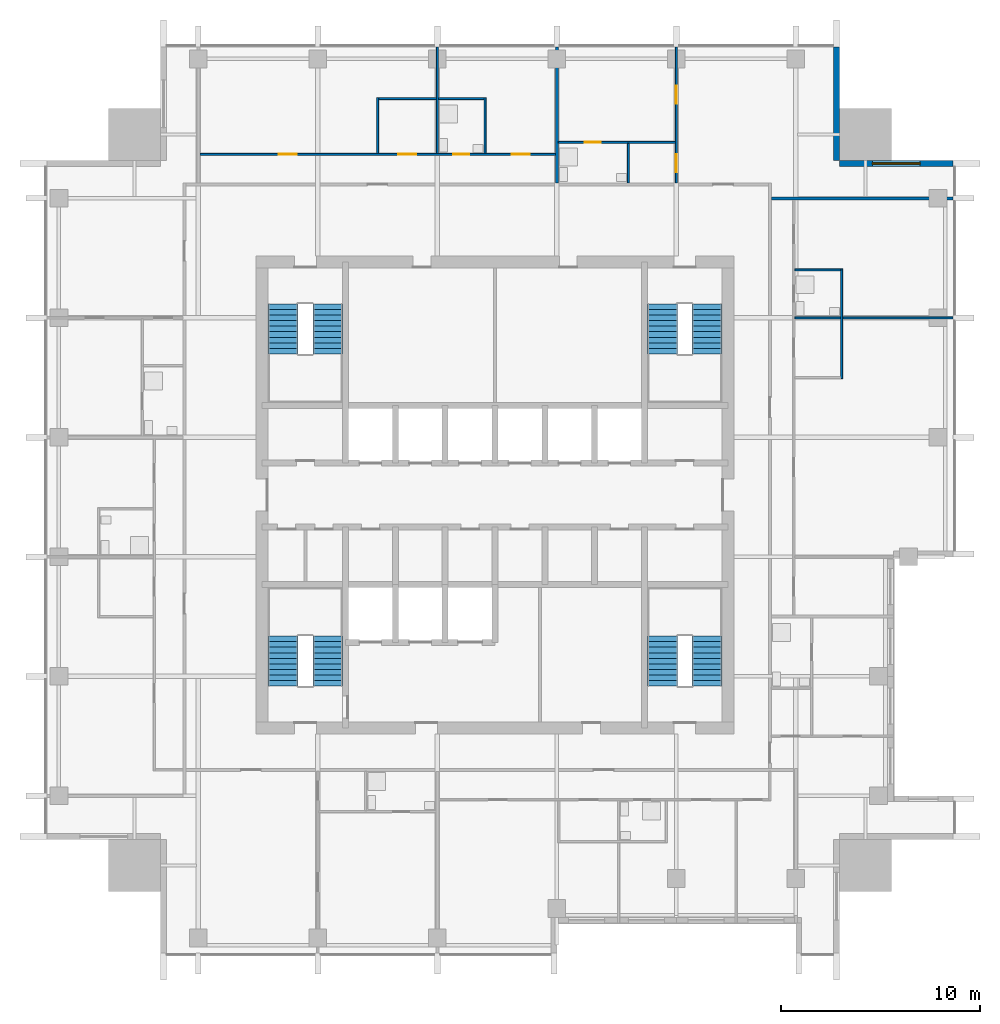
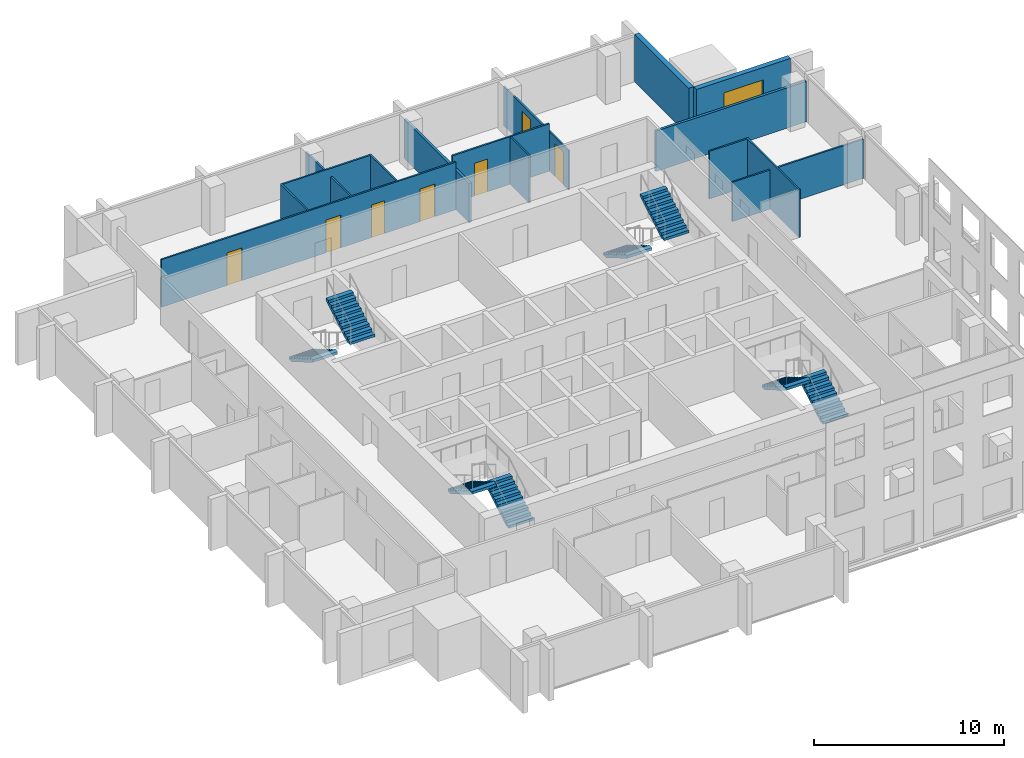
# One storey, part 7 of 10: 15 walls, 8 stair flights, 7 doors, 1 window, 8 openings, 4 elements without a shape of their own.
"""IFC4 building model written with IfcOpenShell, lengths in metres."""

from ifc_helpers import new_model, si_unit, direction, frame, frame_2d, origin, place, context, subcontext, project, spatial, polyline, rectangle, outline, extrude, material, layer, layer_set, type_object, element, fill, aggregate, save


model = new_model("IFC4")

# Units and contexts
model_context = context("Model", 3, precision=1e-05, world=origin(), true_north=direction((0.0, 1.0)))
body_context = subcontext(model_context, "Body", "Model", "MODEL_VIEW")
ifc_project = project(units=[si_unit("LENGTHUNIT", "METRE"), si_unit("AREAUNIT", "SQUARE_METRE"), si_unit("VOLUMEUNIT", "CUBIC_METRE"), si_unit("PLANEANGLEUNIT", "RADIAN"), si_unit("MASSUNIT", "GRAM", prefix="KILO")], contexts=[model_context])

# Site, building, storey
site_placement = place(None, origin())
site = spatial("IfcSite", under=ifc_project, at=site_placement, CompositionType="ELEMENT")
building_placement = place(site_placement, origin())
building = spatial("IfcBuilding", under=site, at=building_placement, Name="Amberfall Residences", CompositionType="ELEMENT")
storey_placement = place(building_placement, frame((0.0, 0.0, 206.800048828125)))
storey = spatial("IfcBuildingStorey", under=building, at=storey_placement, Name="L55", CompositionType="ELEMENT", Elevation=206.800048828125)

# Wall, opening, window
ifc_material_1 = material(Name="Pale stone cladding on insulated backing", Category="masonry")
ifc_layer_1 = layer(ifc_material_1, 0.300048828125)
ifc_layer_set_1 = layer_set([ifc_layer_1], Name="Bronze clad wall 300")
wall_type_1 = type_object("IfcWallType", Name="Bronze clad wall 300", PredefinedType="SOLIDWALL", material=ifc_layer_set_1)
wall_1_placement = place(storey_placement, frame((97.5, 62.14990234375, 0.0), z_axis=(0.0, 0.0, 1.0), x_axis=(-1.0, 0.0, 0.0)))
wall_1 = element("IfcWall", 1, at=wall_1_placement, inside=storey, type_object=wall_type_1, Name="External wall L55 NE", PredefinedType="SOLIDWALL", context=body_context, shape_type="SweptSolid", body=[
    extrude(rectangle(XDim=5.699951171875, YDim=0.300048828125, at=frame_2d((2.85009765625, 0.0))), origin(), (0.0, 0.0, 1.0), 3.050048828125),
])
opening_1_placement = place(wall_1_placement, frame((1.64990234375, 0.0, 0.14990234375)))
opening_1 = element("IfcOpeningElement", 2, at=opening_1_placement, cuts=wall_1, Name="Opening WN5", PredefinedType="OPENING", context=body_context, shape_type="SweptSolid", body=[
    extrude(rectangle(XDim=2.39990234375, YDim=2.10009765625, at=frame_2d((1.199951171875, 1.050048828125))), frame((0.0, 0.159912109375, 0.0), z_axis=(0.0, -1.0, 0.0), x_axis=(1.0, 0.0, 0.0)), (0.0, 0.0, 1.0), 0.320068359375),
])
ifc_material_2 = material(Name="Bronze aluminium framed glazing", Category="aluminium")
window_type = type_object("IfcWindowType", Name="Glazed opening 2400 x 2100 bronze", PartitioningType="DOUBLE_PANEL_VERTICAL", PredefinedType="WINDOW", material=ifc_material_2)
window_placement = place(opening_1_placement, origin())
window = element("IfcWindow", 3, at=window_placement, inside=storey, type_object=window_type, Name="Window L55 NE", OverallHeight=2.10009765625, OverallWidth=2.39990234375, PartitioningType="DOUBLE_PANEL_VERTICAL", PredefinedType="WINDOW", context=body_context, shape_type="SweptSolid", body=[
    extrude(rectangle(XDim=2.39990234375, YDim=2.10009765625, at=frame_2d((1.199951171875, 1.050048828125))), frame((0.0, 0.030029296875, 0.0), z_axis=(0.0, -1.0, 0.0), x_axis=(1.0, 0.0, 0.0)), (0.0, 0.0, 1.0), 0.06005859375),
])
fill(opening_1, window)

# Walls
wall_2_placement = place(storey_placement, frame((91.64990234375, 62.300048828125, 0.0), z_axis=(0.0, 0.0, 1.0), x_axis=(0.0, 1.0, 0.0)))
element("IfcWall", 4, at=wall_2_placement, inside=storey, type_object=wall_type_1, Name="External wall L55 NE", PredefinedType="SOLIDWALL", context=body_context, shape_type="SweptSolid", body=[
    extrude(rectangle(XDim=5.699951171875, YDim=0.300048828125, at=frame_2d((2.85009765625, 0.0))), origin(), (0.0, 0.0, 1.0), 3.050048828125),
])
ifc_material_3 = material(Name="Gypsum board on metal stud")
ifc_layer_2 = layer(ifc_material_3, 0.10009765625)
ifc_layer_set_2 = layer_set([ifc_layer_2], Name="Flat partition 100")
wall_type_2 = type_object("IfcWallType", Name="Flat partition 100", PredefinedType="PARTITIONING", material=ifc_layer_set_2)
wall_3_placement = place(storey_placement, frame((68.60009765625, 62.64990234375, 0.0), z_axis=(0.0, 0.0, 1.0), x_axis=(0.0, 1.0, 0.0)))
element("IfcWall", 5, at=wall_3_placement, inside=storey, type_object=wall_type_2, Name="Partition 006", PredefinedType="PARTITIONING", context=body_context, shape_type="SweptSolid", body=[
    extrude(rectangle(XDim=2.800048828125, YDim=0.10009765625, at=frame_2d((1.39990234375, 0.0))), origin(), (0.0, 0.0, 1.0), 3.050048828125),
])
wall_4_placement = place(storey_placement, frame((71.60009765625, 62.64990234375, 0.0), z_axis=(0.0, 0.0, 1.0), x_axis=(0.0, 1.0, 0.0)))
element("IfcWall", 6, at=wall_4_placement, inside=storey, type_object=wall_type_2, Name="Partition 007", PredefinedType="PARTITIONING", context=body_context, shape_type="SweptSolid", body=[
    extrude(rectangle(XDim=5.35009765625, YDim=0.10009765625, at=frame_2d((2.675048828125, 0.0))), origin(), (0.0, 0.0, 1.0), 2.515869140625),
])
wall_5_placement = place(storey_placement, frame((74.0, 62.64990234375, 0.0), z_axis=(0.0, 0.0, 1.0), x_axis=(0.0, 1.0, 0.0)))
element("IfcWall", 7, at=wall_5_placement, inside=storey, type_object=wall_type_2, Name="Partition 008", PredefinedType="PARTITIONING", context=body_context, shape_type="SweptSolid", body=[
    extrude(rectangle(XDim=2.800048828125, YDim=0.10009765625, at=frame_2d((1.39990234375, 0.0))), origin(), (0.0, 0.0, 1.0), 3.050048828125),
])
wall_6_placement = place(storey_placement, frame((81.199951171875, 61.175048828125, 0.0), z_axis=(0.0, 0.0, 1.0), x_axis=(0.0, 1.0, 0.0)))
element("IfcWall", 8, at=wall_6_placement, inside=storey, type_object=wall_type_2, Name="Partition 011", PredefinedType="PARTITIONING", context=body_context, shape_type="SweptSolid", body=[
    extrude(rectangle(XDim=1.974853515625, YDim=0.10009765625, at=frame_2d((0.9873046875, 0.0))), origin(), (0.0, 0.0, 1.0), 3.050048828125),
])

# Wall, openings, doors
wall_7_placement = place(storey_placement, frame((83.60009765625, 61.175048828125, 0.0), z_axis=(0.0, 0.0, 1.0), x_axis=(0.0, 1.0, 0.0)))
wall_7 = element("IfcWall", 9, at=wall_7_placement, inside=storey, type_object=wall_type_2, Name="Partition 013", PredefinedType="PARTITIONING", context=body_context, shape_type="SweptSolid", body=[
    extrude(rectangle(XDim=6.824951171875, YDim=0.10009765625, at=frame_2d((3.41259765625, 0.0))), origin(), (0.0, 0.0, 1.0), 2.515869140625),
])
opening_2_placement = place(wall_7_placement, frame((0.52490234375, 0.0, 0.0)))
opening_2 = element("IfcOpeningElement", 10, at=opening_2_placement, cuts=wall_7, Name="Opening D41", PredefinedType="OPENING", context=body_context, shape_type="SweptSolid", body=[
    extrude(rectangle(XDim=0.89990234375, YDim=2.10009765625, at=frame_2d((0.449951171875, 1.050048828125))), frame((0.0, 0.06005859375, 0.0), z_axis=(0.0, -1.0, 0.0), x_axis=(1.0, 0.0, 0.0)), (0.0, 0.0, 1.0), 0.1201171875),
])
opening_3_placement = place(wall_7_placement, frame((3.97509765625, 0.0, 0.0)))
opening_3 = element("IfcOpeningElement", 11, at=opening_3_placement, cuts=wall_7, Name="Opening D41", PredefinedType="OPENING", context=body_context, shape_type="SweptSolid", body=[
    extrude(rectangle(XDim=0.89990234375, YDim=2.10009765625, at=frame_2d((0.449951171875, 1.050048828125))), frame((0.0, 0.06005859375, 0.0), z_axis=(0.0, -1.0, 0.0), x_axis=(1.0, 0.0, 0.0)), (0.0, 0.0, 1.0), 0.1201171875),
])
ifc_material_4 = material(Name="Timber", Category="wood")
door_type_1 = type_object("IfcDoorType", Name="Internal door 900 x 2100", OperationType="SINGLE_SWING_LEFT", PredefinedType="DOOR", material=ifc_material_4)
door_1_placement = place(opening_2_placement, origin())
door_1 = element("IfcDoor", 12, at=door_1_placement, inside=storey, type_object=door_type_1, Name="Door 5506 kitchen", OperationType="SINGLE_SWING_LEFT", OverallHeight=2.10009765625, OverallWidth=0.89990234375, PredefinedType="DOOR", context=body_context, shape_type="SweptSolid", body=[
    extrude(rectangle(XDim=0.89990234375, YDim=2.10009765625, at=frame_2d((0.449951171875, 1.050048828125))), frame((0.0, 0.02490234375, 0.0), z_axis=(0.0, -1.0, 0.0), x_axis=(1.0, 0.0, 0.0)), (0.0, 0.0, 1.0), 0.050048828125),
])
fill(opening_2, door_1)
door_2_placement = place(opening_3_placement, origin())
door_2 = element("IfcDoor", 13, at=door_2_placement, inside=storey, type_object=door_type_1, Name="Door 5506 bedroom1", OperationType="SINGLE_SWING_LEFT", OverallHeight=2.10009765625, OverallWidth=0.89990234375, PredefinedType="DOOR", context=body_context, shape_type="SweptSolid", body=[
    extrude(rectangle(XDim=0.89990234375, YDim=2.10009765625, at=frame_2d((0.449951171875, 1.050048828125))), frame((0.0, 0.02490234375, 0.0), z_axis=(0.0, -1.0, 0.0), x_axis=(1.0, 0.0, 0.0)), (0.0, 0.0, 1.0), 0.050048828125),
])
fill(opening_3, door_2)

# Walls
wall_8_placement = place(storey_placement, frame((91.89990234375, 51.35009765625, 0.0), z_axis=(0.0, 0.0, 1.0), x_axis=(0.0, 1.0, 0.0)))
element("IfcWall", 14, at=wall_8_placement, inside=storey, type_object=wall_type_2, Name="Partition 018", PredefinedType="PARTITIONING", context=body_context, shape_type="SweptSolid", body=[
    extrude(rectangle(XDim=5.5, YDim=0.10009765625, at=frame_2d((2.75, 0.0))), origin(), (0.0, 0.0, 1.0), 3.050048828125),
])
wall_9_placement = place(storey_placement, frame((68.64990234375, 65.39990234375, 0.0), z_axis=(0.0, 0.0, 1.0), x_axis=(1.0, 0.0, 0.0)))
element("IfcWall", 15, at=wall_9_placement, inside=storey, type_object=wall_type_2, Name="Partition 019", PredefinedType="PARTITIONING", context=body_context, shape_type="SweptSolid", body=[
    extrude(rectangle(XDim=5.300048828125, YDim=0.10009765625, at=frame_2d((2.64990234375, 0.0))), origin(), (0.0, 0.0, 1.0), 3.050048828125),
])

# Wall, opening, door
wall_10_placement = place(storey_placement, frame((83.550048828125, 63.199951171875, 0.0), z_axis=(0.0, 0.0, 1.0), x_axis=(-1.0, 0.0, 0.0)))
wall_10 = element("IfcWall", 16, at=wall_10_placement, inside=storey, type_object=wall_type_2, Name="Partition 020", PredefinedType="PARTITIONING", context=body_context, shape_type="SweptSolid", body=[
    extrude(rectangle(XDim=5.875, YDim=0.10009765625, at=frame_2d((2.9375, 0.0))), origin(), (0.0, 0.0, 1.0), 3.050048828125),
])
opening_4_placement = place(wall_10_placement, frame((3.75, 0.0, 0.0)))
opening_4 = element("IfcOpeningElement", 17, at=opening_4_placement, cuts=wall_10, Name="Opening D42", PredefinedType="OPENING", context=body_context, shape_type="SweptSolid", body=[
    extrude(rectangle(XDim=0.800048828125, YDim=2.10009765625, at=frame_2d((0.39990234375, 1.050048828125))), frame((0.0, 0.06005859375, 0.0), z_axis=(0.0, -1.0, 0.0), x_axis=(1.0, 0.0, 0.0)), (0.0, 0.0, 1.0), 0.1201171875),
])
door_type_2 = type_object("IfcDoorType", Name="Bathroom door 800 x 2100", OperationType="SINGLE_SWING_LEFT", PredefinedType="DOOR", material=ifc_material_4)
door_3_placement = place(opening_4_placement, origin())
door_3 = element("IfcDoor", 18, at=door_3_placement, inside=storey, type_object=door_type_2, Name="Door 5506 bath1", OperationType="SINGLE_SWING_LEFT", OverallHeight=2.10009765625, OverallWidth=0.800048828125, PredefinedType="DOOR", context=body_context, shape_type="SweptSolid", body=[
    extrude(rectangle(XDim=0.800048828125, YDim=2.10009765625, at=frame_2d((0.39990234375, 1.050048828125))), frame((0.0, 0.02490234375, 0.0), z_axis=(0.0, -1.0, 0.0), x_axis=(1.0, 0.0, 0.0)), (0.0, 0.0, 1.0), 0.050048828125),
])
fill(opening_4, door_3)

# Wall, openings, doors
wall_11_placement = place(storey_placement, frame((59.675048828125, 62.60009765625, 0.0), z_axis=(0.0, 0.0, 1.0), x_axis=(1.0, 0.0, 0.0)))
wall_11 = element("IfcWall", 19, at=wall_11_placement, inside=storey, type_object=wall_type_2, Name="Partition 021", PredefinedType="PARTITIONING", context=body_context, shape_type="SweptSolid", body=[
    extrude(rectangle(XDim=17.849853515625, YDim=0.10009765625, at=frame_2d((8.9248046875, 0.0))), origin(), (0.0, 0.0, 1.0), 3.050048828125),
])
opening_5_placement = place(wall_11_placement, frame((3.97509765625, 0.0, 0.0)))
opening_5 = element("IfcOpeningElement", 20, at=opening_5_placement, cuts=wall_11, Name="Opening D41", PredefinedType="OPENING", context=body_context, shape_type="SweptSolid", body=[
    extrude(rectangle(XDim=0.89990234375, YDim=2.10009765625, at=frame_2d((0.449951171875, 1.050048828125))), frame((0.0, 0.06005859375, 0.0), z_axis=(0.0, -1.0, 0.0), x_axis=(1.0, 0.0, 0.0)), (0.0, 0.0, 1.0), 0.1201171875),
])
opening_6_placement = place(wall_11_placement, frame((9.97509765625, 0.0, 0.0)))
opening_6 = element("IfcOpeningElement", 21, at=opening_6_placement, cuts=wall_11, Name="Opening D41", PredefinedType="OPENING", context=body_context, shape_type="SweptSolid", body=[
    extrude(rectangle(XDim=0.89990234375, YDim=2.10009765625, at=frame_2d((0.449951171875, 1.050048828125))), frame((0.0, 0.06005859375, 0.0), z_axis=(0.0, -1.0, 0.0), x_axis=(1.0, 0.0, 0.0)), (0.0, 0.0, 1.0), 0.1201171875),
])
opening_7_placement = place(wall_11_placement, frame((15.675048828125, 0.0, 0.0)))
opening_7 = element("IfcOpeningElement", 22, at=opening_7_placement, cuts=wall_11, Name="Opening D41", PredefinedType="OPENING", context=body_context, shape_type="SweptSolid", body=[
    extrude(rectangle(XDim=0.89990234375, YDim=2.10009765625, at=frame_2d((0.449951171875, 1.050048828125))), frame((0.0, 0.06005859375, 0.0), z_axis=(0.0, -1.0, 0.0), x_axis=(1.0, 0.0, 0.0)), (0.0, 0.0, 1.0), 0.1201171875),
])
opening_8_placement = place(wall_11_placement, frame((12.72509765625, 0.0, 0.0)))
opening_8 = element("IfcOpeningElement", 23, at=opening_8_placement, cuts=wall_11, Name="Opening D42", PredefinedType="OPENING", context=body_context, shape_type="SweptSolid", body=[
    extrude(rectangle(XDim=0.800048828125, YDim=2.10009765625, at=frame_2d((0.39990234375, 1.050048828125))), frame((0.0, 0.06005859375, 0.0), z_axis=(0.0, -1.0, 0.0), x_axis=(1.0, 0.0, 0.0)), (0.0, 0.0, 1.0), 0.1201171875),
])
door_4_placement = place(opening_8_placement, origin())
door_4 = element("IfcDoor", 24, at=door_4_placement, inside=storey, type_object=door_type_2, Name="Door 5505 bath1", OperationType="SINGLE_SWING_LEFT", OverallHeight=2.10009765625, OverallWidth=0.800048828125, PredefinedType="DOOR", context=body_context, shape_type="SweptSolid", body=[
    extrude(rectangle(XDim=0.800048828125, YDim=2.10009765625, at=frame_2d((0.39990234375, 1.050048828125))), frame((0.0, 0.02490234375, 0.0), z_axis=(0.0, -1.0, 0.0), x_axis=(1.0, 0.0, 0.0)), (0.0, 0.0, 1.0), 0.050048828125),
])
fill(opening_8, door_4)
door_5_placement = place(opening_5_placement, origin())
door_5 = element("IfcDoor", 25, at=door_5_placement, inside=storey, type_object=door_type_1, Name="Door 5505 living", OperationType="SINGLE_SWING_LEFT", OverallHeight=2.10009765625, OverallWidth=0.89990234375, PredefinedType="DOOR", context=body_context, shape_type="SweptSolid", body=[
    extrude(rectangle(XDim=0.89990234375, YDim=2.10009765625, at=frame_2d((0.449951171875, 1.050048828125))), frame((0.0, 0.02490234375, 0.0), z_axis=(0.0, -1.0, 0.0), x_axis=(1.0, 0.0, 0.0)), (0.0, 0.0, 1.0), 0.050048828125),
])
fill(opening_5, door_5)
door_6_placement = place(opening_6_placement, origin())
door_6 = element("IfcDoor", 26, at=door_6_placement, inside=storey, type_object=door_type_1, Name="Door 5505 kitchen", OperationType="SINGLE_SWING_LEFT", OverallHeight=2.10009765625, OverallWidth=0.89990234375, PredefinedType="DOOR", context=body_context, shape_type="SweptSolid", body=[
    extrude(rectangle(XDim=0.89990234375, YDim=2.10009765625, at=frame_2d((0.449951171875, 1.050048828125))), frame((0.0, 0.02490234375, 0.0), z_axis=(0.0, -1.0, 0.0), x_axis=(1.0, 0.0, 0.0)), (0.0, 0.0, 1.0), 0.050048828125),
])
fill(opening_6, door_6)
door_7_placement = place(opening_7_placement, origin())
door_7 = element("IfcDoor", 27, at=door_7_placement, inside=storey, type_object=door_type_1, Name="Door 5505 bedroom1", OperationType="SINGLE_SWING_LEFT", OverallHeight=2.10009765625, OverallWidth=0.89990234375, PredefinedType="DOOR", context=body_context, shape_type="SweptSolid", body=[
    extrude(rectangle(XDim=0.89990234375, YDim=2.10009765625, at=frame_2d((0.449951171875, 1.050048828125))), frame((0.0, 0.02490234375, 0.0), z_axis=(0.0, -1.0, 0.0), x_axis=(1.0, 0.0, 0.0)), (0.0, 0.0, 1.0), 0.050048828125),
])
fill(opening_7, door_7)

# Walls
wall_12_placement = place(storey_placement, frame((89.550048828125, 56.800048828125, 0.0), z_axis=(0.0, 0.0, 1.0), x_axis=(1.0, 0.0, 0.0)))
element("IfcWall", 28, at=wall_12_placement, inside=storey, type_object=wall_type_2, Name="Partition 022", PredefinedType="PARTITIONING", context=body_context, shape_type="SweptSolid", body=[
    extrude(rectangle(XDim=2.300048828125, YDim=0.10009765625, at=frame_2d((1.14990234375, 0.0))), origin(), (0.0, 0.0, 1.0), 3.050048828125),
])
wall_13_placement = place(storey_placement, frame((89.550048828125, 54.39990234375, 0.0), z_axis=(0.0, 0.0, 1.0), x_axis=(1.0, 0.0, 0.0)))
element("IfcWall", 29, at=wall_13_placement, inside=storey, type_object=wall_type_2, Name="Partition 024", PredefinedType="PARTITIONING", context=body_context, shape_type="SweptSolid", body=[
    extrude(rectangle(XDim=7.949951171875, YDim=0.10009765625, at=frame_2d((3.97509765625, 0.0))), origin(), (0.0, 0.0, 1.0), 2.515869140625),
])
ifc_material_5 = material(Name="Blockwork, plastered", Category="masonry")
ifc_layer_3 = layer(ifc_material_5, 0.14990234375)
ifc_layer_set_3 = layer_set([ifc_layer_3], Name="Flat separating wall 150")
wall_type_3 = type_object("IfcWallType", Name="Flat separating wall 150", PredefinedType="PARTITIONING", material=ifc_layer_set_3)
wall_14_placement = place(storey_placement, frame((77.60009765625, 61.175048828125, 0.0), z_axis=(0.0, 0.0, 1.0), x_axis=(0.0, 1.0, 0.0)))
element("IfcWall", 30, at=wall_14_placement, inside=storey, type_object=wall_type_3, Name="Separating wall 040", PredefinedType="PARTITIONING", context=body_context, shape_type="SweptSolid", body=[
    extrude(rectangle(XDim=6.824951171875, YDim=0.14990234375, at=frame_2d((3.41259765625, 0.0))), origin(), (0.0, 0.0, 1.0), 2.515869140625),
])
wall_15_placement = place(storey_placement, frame((88.375, 60.39990234375, 0.0), z_axis=(0.0, 0.0, 1.0), x_axis=(1.0, 0.0, 0.0)))
element("IfcWall", 31, at=wall_15_placement, inside=storey, type_object=wall_type_3, Name="Separating wall 044", PredefinedType="PARTITIONING", context=body_context, shape_type="SweptSolid", body=[
    extrude(rectangle(XDim=9.125, YDim=0.14990234375, at=frame_2d((4.5625, 0.0))), origin(), (0.0, 0.0, 1.0), 2.58984375),
])

# Stair, stair flights
ifc_material_6 = material(Name="Concrete C40", Category="concrete")
stair_type = type_object("IfcStairType", Name="Exit stair 20 risers 165.0 mm", PredefinedType="HALF_TURN_STAIR", material=ifc_material_6)
stair_1_placement = place(storey_placement, origin())
stair_1 = element("IfcStair", 32, at=stair_1_placement, inside=storey, type_object=stair_type, Name="L55 Exit stair 1", PredefinedType="HALF_TURN_STAIR")
stair_flight_type = type_object("IfcStairFlightType", Name="Stair flight 10 risers 165.0 mm", PredefinedType="STRAIGHT", material=ifc_material_6)
stair_flight_1_placement = place(storey_placement, frame((66.10009765625, 35.89990234375, 0.0), z_axis=(0.0, 0.0, 1.0), x_axis=(0.0, 1.0, 0.0)))
stair_flight_1 = element("IfcStairFlight", 33, at=stair_flight_1_placement, type_object=stair_flight_type, Name="ST3 flight 1", NumberOfRisers=10, NumberOfTreads=9, PredefinedType="STRAIGHT", RiserHeight=0.165, TreadLength=0.28, context=body_context, shape_type="SweptSolid", body=[
    extrude(outline(polyline([(0.0, 0.0), (0.0, 0.1650390625), (0.280029296875, 0.1650390625), (0.280029296875, 0.330078125), (0.56005859375, 0.330078125), (0.56005859375, 0.4951171875), (0.840087890625, 0.4951171875), (0.840087890625, 0.659912109375), (1.1201171875, 0.659912109375), (1.1201171875, 0.824951171875), (1.39990234375, 0.824951171875), (1.39990234375, 0.989990234375), (1.679931640625, 0.989990234375), (1.679931640625, 1.155029296875), (1.9599609375, 1.155029296875), (1.9599609375, 1.320068359375), (2.239990234375, 1.320068359375), (2.239990234375, 1.485107421875), (2.52001953125, 1.485107421875), (2.52001953125, 1.64990234375), (2.52001953125, 1.31103515625), (0.295166015625, 0.0), (0.0, 0.0)])), frame((0.0, 0.75, 0.0), z_axis=(0.0, -1.0, 0.0), x_axis=(1.0, 0.0, 0.0)), (0.0, 0.0, 1.0), 1.5),
])
stair_flight_2_placement = place(storey_placement, frame((63.85009765625, 38.419921875, 1.64990234375), z_axis=(0.0, 0.0, 1.0), x_axis=(0.0, -1.0, 0.0)))
stair_flight_2 = element("IfcStairFlight", 34, at=stair_flight_2_placement, type_object=stair_flight_type, Name="ST3 flight 2", NumberOfRisers=10, NumberOfTreads=9, PredefinedType="STRAIGHT", RiserHeight=0.165, TreadLength=0.28, context=body_context, shape_type="SweptSolid", body=[
    extrude(outline(polyline([(0.0, 0.0), (0.0, 0.1650390625), (0.280029296875, 0.1650390625), (0.280029296875, 0.330078125), (0.56005859375, 0.330078125), (0.56005859375, 0.4951171875), (0.840087890625, 0.4951171875), (0.840087890625, 0.659912109375), (1.1201171875, 0.659912109375), (1.1201171875, 0.824951171875), (1.39990234375, 0.824951171875), (1.39990234375, 0.989990234375), (1.679931640625, 0.989990234375), (1.679931640625, 1.155029296875), (1.9599609375, 1.155029296875), (1.9599609375, 1.320068359375), (2.239990234375, 1.320068359375), (2.239990234375, 1.485107421875), (2.52001953125, 1.485107421875), (2.52001953125, 1.64990234375), (2.52001953125, 1.31103515625), (0.295166015625, 0.0), (0.0, 0.0)])), frame((0.0, 0.75, 0.0), z_axis=(0.0, -1.0, 0.0), x_axis=(1.0, 0.0, 0.0)), (0.0, 0.0, 1.0), 1.5),
])
aggregate(stair_1, [stair_flight_1, stair_flight_2])

stair_2_placement = place(storey_placement, origin())
stair_2 = element("IfcStair", 35, at=stair_2_placement, inside=storey, type_object=stair_type, Name="L55 Exit stair 2", PredefinedType="HALF_TURN_STAIR")
stair_flight_3_placement = place(storey_placement, frame((85.14990234375, 35.89990234375, 0.0), z_axis=(0.0, 0.0, 1.0), x_axis=(0.0, 1.0, 0.0)))
stair_flight_3 = element("IfcStairFlight", 36, at=stair_flight_3_placement, type_object=stair_flight_type, Name="ST3 flight 1", NumberOfRisers=10, NumberOfTreads=9, PredefinedType="STRAIGHT", RiserHeight=0.165, TreadLength=0.28, context=body_context, shape_type="SweptSolid", body=[
    extrude(outline(polyline([(0.0, 0.0), (0.0, 0.1650390625), (0.280029296875, 0.1650390625), (0.280029296875, 0.330078125), (0.56005859375, 0.330078125), (0.56005859375, 0.4951171875), (0.840087890625, 0.4951171875), (0.840087890625, 0.659912109375), (1.1201171875, 0.659912109375), (1.1201171875, 0.824951171875), (1.39990234375, 0.824951171875), (1.39990234375, 0.989990234375), (1.679931640625, 0.989990234375), (1.679931640625, 1.155029296875), (1.9599609375, 1.155029296875), (1.9599609375, 1.320068359375), (2.239990234375, 1.320068359375), (2.239990234375, 1.485107421875), (2.52001953125, 1.485107421875), (2.52001953125, 1.64990234375), (2.52001953125, 1.31103515625), (0.295166015625, 0.0), (0.0, 0.0)])), frame((0.0, 0.75, 0.0), z_axis=(0.0, -1.0, 0.0), x_axis=(1.0, 0.0, 0.0)), (0.0, 0.0, 1.0), 1.5),
])
stair_flight_4_placement = place(storey_placement, frame((82.89990234375, 38.419921875, 1.64990234375), z_axis=(0.0, 0.0, 1.0), x_axis=(0.0, -1.0, 0.0)))
stair_flight_4 = element("IfcStairFlight", 37, at=stair_flight_4_placement, type_object=stair_flight_type, Name="ST3 flight 2", NumberOfRisers=10, NumberOfTreads=9, PredefinedType="STRAIGHT", RiserHeight=0.165, TreadLength=0.28, context=body_context, shape_type="SweptSolid", body=[
    extrude(outline(polyline([(0.0, 0.0), (0.0, 0.1650390625), (0.280029296875, 0.1650390625), (0.280029296875, 0.330078125), (0.56005859375, 0.330078125), (0.56005859375, 0.4951171875), (0.840087890625, 0.4951171875), (0.840087890625, 0.659912109375), (1.1201171875, 0.659912109375), (1.1201171875, 0.824951171875), (1.39990234375, 0.824951171875), (1.39990234375, 0.989990234375), (1.679931640625, 0.989990234375), (1.679931640625, 1.155029296875), (1.9599609375, 1.155029296875), (1.9599609375, 1.320068359375), (2.239990234375, 1.320068359375), (2.239990234375, 1.485107421875), (2.52001953125, 1.485107421875), (2.52001953125, 1.64990234375), (2.52001953125, 1.31103515625), (0.295166015625, 0.0), (0.0, 0.0)])), frame((0.0, 0.75, 0.0), z_axis=(0.0, -1.0, 0.0), x_axis=(1.0, 0.0, 0.0)), (0.0, 0.0, 1.0), 1.5),
])
aggregate(stair_2, [stair_flight_3, stair_flight_4])

stair_3_placement = place(storey_placement, origin())
stair_3 = element("IfcStair", 38, at=stair_3_placement, inside=storey, type_object=stair_type, Name="L55 Exit stair 3", PredefinedType="HALF_TURN_STAIR")
stair_flight_5_placement = place(storey_placement, frame((82.89990234375, 55.10009765625, 0.0), z_axis=(0.0, 0.0, 1.0), x_axis=(0.0, -1.0, 0.0)))
stair_flight_5 = element("IfcStairFlight", 39, at=stair_flight_5_placement, type_object=stair_flight_type, Name="ST3 flight 1", NumberOfRisers=10, NumberOfTreads=9, PredefinedType="STRAIGHT", RiserHeight=0.165, TreadLength=0.28, context=body_context, shape_type="SweptSolid", body=[
    extrude(outline(polyline([(0.0, 0.0), (0.0, 0.1650390625), (0.280029296875, 0.1650390625), (0.280029296875, 0.330078125), (0.56005859375, 0.330078125), (0.56005859375, 0.4951171875), (0.840087890625, 0.4951171875), (0.840087890625, 0.659912109375), (1.1201171875, 0.659912109375), (1.1201171875, 0.824951171875), (1.39990234375, 0.824951171875), (1.39990234375, 0.989990234375), (1.679931640625, 0.989990234375), (1.679931640625, 1.155029296875), (1.9599609375, 1.155029296875), (1.9599609375, 1.320068359375), (2.239990234375, 1.320068359375), (2.239990234375, 1.485107421875), (2.52001953125, 1.485107421875), (2.52001953125, 1.64990234375), (2.52001953125, 1.31103515625), (0.295166015625, 0.0), (0.0, 0.0)])), frame((0.0, 0.75, 0.0), z_axis=(0.0, -1.0, 0.0), x_axis=(1.0, 0.0, 0.0)), (0.0, 0.0, 1.0), 1.5),
])
stair_flight_6_placement = place(storey_placement, frame((85.14990234375, 52.580078125, 1.64990234375), z_axis=(0.0, 0.0, 1.0), x_axis=(0.0, 1.0, 0.0)))
stair_flight_6 = element("IfcStairFlight", 40, at=stair_flight_6_placement, type_object=stair_flight_type, Name="ST3 flight 2", NumberOfRisers=10, NumberOfTreads=9, PredefinedType="STRAIGHT", RiserHeight=0.165, TreadLength=0.28, context=body_context, shape_type="SweptSolid", body=[
    extrude(outline(polyline([(0.0, 0.0), (0.0, 0.1650390625), (0.280029296875, 0.1650390625), (0.280029296875, 0.330078125), (0.56005859375, 0.330078125), (0.56005859375, 0.4951171875), (0.840087890625, 0.4951171875), (0.840087890625, 0.659912109375), (1.1201171875, 0.659912109375), (1.1201171875, 0.824951171875), (1.39990234375, 0.824951171875), (1.39990234375, 0.989990234375), (1.679931640625, 0.989990234375), (1.679931640625, 1.155029296875), (1.9599609375, 1.155029296875), (1.9599609375, 1.320068359375), (2.239990234375, 1.320068359375), (2.239990234375, 1.485107421875), (2.52001953125, 1.485107421875), (2.52001953125, 1.64990234375), (2.52001953125, 1.31103515625), (0.295166015625, 0.0), (0.0, 0.0)])), frame((0.0, 0.75, 0.0), z_axis=(0.0, -1.0, 0.0), x_axis=(1.0, 0.0, 0.0)), (0.0, 0.0, 1.0), 1.5),
])
aggregate(stair_3, [stair_flight_5, stair_flight_6])

stair_4_placement = place(storey_placement, origin())
stair_4 = element("IfcStair", 41, at=stair_4_placement, inside=storey, type_object=stair_type, Name="L55 Exit stair 4", PredefinedType="HALF_TURN_STAIR")
stair_flight_7_placement = place(storey_placement, frame((63.85009765625, 55.10009765625, 0.0), z_axis=(0.0, 0.0, 1.0), x_axis=(0.0, -1.0, 0.0)))
stair_flight_7 = element("IfcStairFlight", 42, at=stair_flight_7_placement, type_object=stair_flight_type, Name="ST3 flight 1", NumberOfRisers=10, NumberOfTreads=9, PredefinedType="STRAIGHT", RiserHeight=0.165, TreadLength=0.28, context=body_context, shape_type="SweptSolid", body=[
    extrude(outline(polyline([(0.0, 0.0), (0.0, 0.1650390625), (0.280029296875, 0.1650390625), (0.280029296875, 0.330078125), (0.56005859375, 0.330078125), (0.56005859375, 0.4951171875), (0.840087890625, 0.4951171875), (0.840087890625, 0.659912109375), (1.1201171875, 0.659912109375), (1.1201171875, 0.824951171875), (1.39990234375, 0.824951171875), (1.39990234375, 0.989990234375), (1.679931640625, 0.989990234375), (1.679931640625, 1.155029296875), (1.9599609375, 1.155029296875), (1.9599609375, 1.320068359375), (2.239990234375, 1.320068359375), (2.239990234375, 1.485107421875), (2.52001953125, 1.485107421875), (2.52001953125, 1.64990234375), (2.52001953125, 1.31103515625), (0.295166015625, 0.0), (0.0, 0.0)])), frame((0.0, 0.75, 0.0), z_axis=(0.0, -1.0, 0.0), x_axis=(1.0, 0.0, 0.0)), (0.0, 0.0, 1.0), 1.5),
])
stair_flight_8_placement = place(storey_placement, frame((66.10009765625, 52.580078125, 1.64990234375), z_axis=(0.0, 0.0, 1.0), x_axis=(0.0, 1.0, 0.0)))
stair_flight_8 = element("IfcStairFlight", 43, at=stair_flight_8_placement, type_object=stair_flight_type, Name="ST3 flight 2", NumberOfRisers=10, NumberOfTreads=9, PredefinedType="STRAIGHT", RiserHeight=0.165, TreadLength=0.28, context=body_context, shape_type="SweptSolid", body=[
    extrude(outline(polyline([(0.0, 0.0), (0.0, 0.1650390625), (0.280029296875, 0.1650390625), (0.280029296875, 0.330078125), (0.56005859375, 0.330078125), (0.56005859375, 0.4951171875), (0.840087890625, 0.4951171875), (0.840087890625, 0.659912109375), (1.1201171875, 0.659912109375), (1.1201171875, 0.824951171875), (1.39990234375, 0.824951171875), (1.39990234375, 0.989990234375), (1.679931640625, 0.989990234375), (1.679931640625, 1.155029296875), (1.9599609375, 1.155029296875), (1.9599609375, 1.320068359375), (2.239990234375, 1.320068359375), (2.239990234375, 1.485107421875), (2.52001953125, 1.485107421875), (2.52001953125, 1.64990234375), (2.52001953125, 1.31103515625), (0.295166015625, 0.0), (0.0, 0.0)])), frame((0.0, 0.75, 0.0), z_axis=(0.0, -1.0, 0.0), x_axis=(1.0, 0.0, 0.0)), (0.0, 0.0, 1.0), 1.5),
])
aggregate(stair_4, [stair_flight_7, stair_flight_8])

save(model, "model.ifc")
